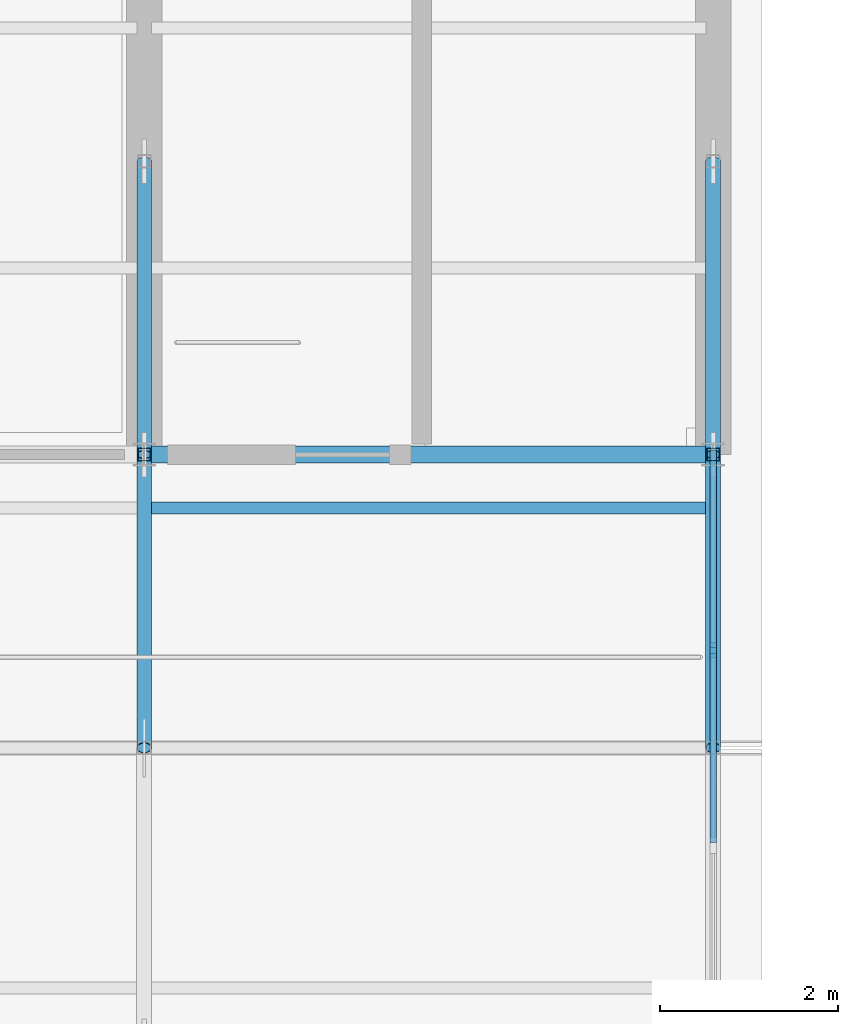
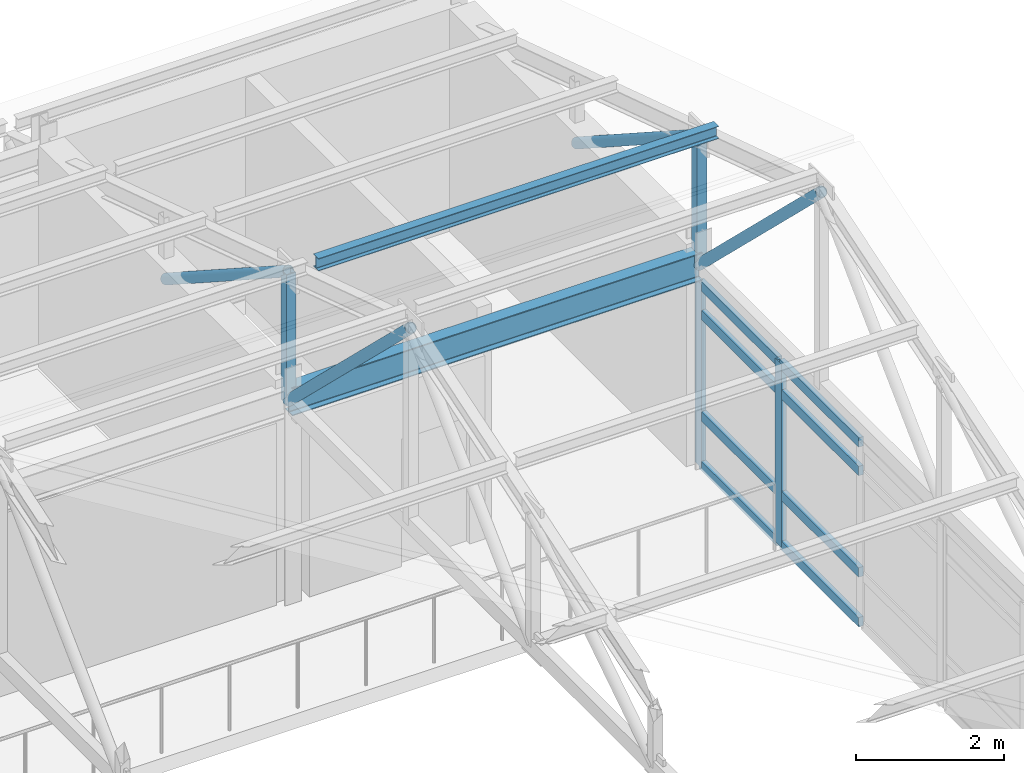
# One storey, part 15 of 57: 17 members, 1 beam, 1 element without a shape of its own.
"""IFC4 building model written with IfcOpenShell, lengths in metres."""

from ifc_helpers import new_model, si_unit, direction, frame, origin, origin_2d, place, context, subcontext, project, spatial, rectangle, hollow_rectangle, hollow_circle, i_section, extrude, material, layer, layer_set, material_profile, profile_set, type_object, element, aggregate, save


model = new_model("IFC4")

# Units and contexts
model_context = context("Model", 3, precision=1e-05, world=origin(), true_north=direction((0.0, 1.0)))
body_context = subcontext(model_context, "Body", "Model", "MODEL_VIEW")
ifc_project = project(units=[si_unit("LENGTHUNIT", "METRE"), si_unit("AREAUNIT", "SQUARE_METRE"), si_unit("VOLUMEUNIT", "CUBIC_METRE"), si_unit("PLANEANGLEUNIT", "RADIAN"), si_unit("MASSUNIT", "GRAM", prefix="KILO")], contexts=[model_context])

# Site, building, storey
site_placement = place(None, origin())
site = spatial("IfcSite", under=ifc_project, at=site_placement, CompositionType="ELEMENT")
building_placement = place(site_placement, origin())
building = spatial("IfcBuilding", under=site, at=building_placement, Name="Trelmorton Wharf Fire Station", CompositionType="ELEMENT")
storey_placement = place(building_placement, frame((0.0, 0.0, 13.5)))
storey = spatial("IfcBuildingStorey", under=building, at=storey_placement, Name="L03", CompositionType="ELEMENT", Elevation=13.5)

# Beam
ifc_material_1 = material(Name="Steel Grade 350", Category="steel")
ifc_material_profile_1 = material_profile(ifc_material_1, i_section(OverallWidth=0.18994140625, OverallDepth=0.45703125, WebThickness=0.009033203125, FlangeThickness=0.014404296875, FilletRadius=0.011474609375, at=origin_2d()), Name="460UB74.6")
ifc_profile_set_1 = profile_set([ifc_material_profile_1], Name="Steel Grade 350")
beam_type = type_object("IfcBeamType", Name="BM_460UB75", PredefinedType="BEAM", material=ifc_profile_set_1)
beam_placement = place(storey_placement, frame((77.2041015625, 21.0, 3.29150390625), z_axis=(1.0, 0.0, 0.0), x_axis=(0.0, 1.0, 0.0)))
element("IfcBeam", 1, at=beam_placement, inside=storey, type_object=beam_type, Name="BM-L03-0896", PredefinedType="BEAM", context=body_context, shape_type="SweptSolid", body=[
    extrude(i_section(OverallWidth=0.18994140625, OverallDepth=0.45703125, WebThickness=0.009033203125, FlangeThickness=0.014404296875, FilletRadius=0.011474609375, at=origin_2d()), origin(), (0.0, 0.0, 1.0), 6.391845703125),
])

# Curtain wall, members
ifc_material_2 = material(Name="Anodised aluminium AW-6063", Category="aluminium")
ifc_layer = layer(ifc_material_2, 0.14990234375)
ifc_layer_set = layer_set([ifc_layer], Name="Anodised aluminium AW-6063")
curtain_wall_type = type_object("IfcCurtainWallType", Name="CW_UNIT_A", PredefinedType="USERDEFINED", material=ifc_layer_set)
curtain_wall_placement = place(storey_placement, origin())
curtain_wall = element("IfcCurtainWall", 2, at=curtain_wall_placement, inside=storey, type_object=curtain_wall_type, Name="CW-V3-L03-028", ObjectType="UNITISED CURTAIN WALL", PredefinedType="USERDEFINED")
ifc_material_profile_2 = material_profile(ifc_material_2, rectangle(XDim=0.074951171875, YDim=0.175048828125, at=origin_2d()), Name="ALU-75x175")
ifc_profile_set_2 = profile_set([ifc_material_profile_2], Name="Anodised aluminium AW-6063")
member_type_1 = type_object("IfcMemberType", Name="CWM_75x175", PredefinedType="MULLION", material=ifc_profile_set_2)
member_1_placement = place(storey_placement, frame((83.60009765625, 20.965087890625, 0.0), z_axis=(0.0, 0.0, 1.0), x_axis=(1.0, 0.0, 0.0)))
member_1 = element("IfcMember", 3, at=member_1_placement, type_object=member_type_1, Name="CW3 mullion 1", PredefinedType="MULLION", context=body_context, shape_type="SweptSolid", body=[
    extrude(rectangle(XDim=0.074951171875, YDim=0.175048828125, at=origin_2d()), origin(), (0.0, 0.0, 1.0), 3.02001953125),
])
member_2_placement = place(storey_placement, frame((83.60009765625, 18.79833984375, 0.0), z_axis=(0.0, 0.0, 1.0), x_axis=(1.0, 0.0, 0.0)))
member_2 = element("IfcMember", 4, at=member_2_placement, type_object=member_type_1, Name="CW3 mullion 2", PredefinedType="MULLION", context=body_context, shape_type="SweptSolid", body=[
    extrude(rectangle(XDim=0.074951171875, YDim=0.175048828125, at=origin_2d()), origin(), (0.0, 0.0, 1.0), 3.02001953125),
])
ifc_material_profile_3 = material_profile(ifc_material_2, rectangle(XDim=0.074951171875, YDim=0.155029296875, at=origin_2d()), Name="ALU-75x155")
ifc_profile_set_3 = profile_set([ifc_material_profile_3], Name="Anodised aluminium AW-6063")
member_type_2 = type_object("IfcMemberType", Name="CWT_75x155", PredefinedType="USERDEFINED", material=ifc_profile_set_3)
member_3_placement = place(storey_placement, frame((83.60009765625, 20.93505859375, 0.030029296875), z_axis=(0.0, -1.0, 0.0), x_axis=(1.0, 0.0, 0.0)))
member_3 = element("IfcMember", 5, at=member_3_placement, type_object=member_type_2, Name="CW3 transom 1.1", ObjectType="TRANSOM", PredefinedType="USERDEFINED", context=body_context, shape_type="SweptSolid", body=[
    extrude(rectangle(XDim=0.074951171875, YDim=0.155029296875, at=origin_2d()), origin(), (0.0, 0.0, 1.0), 2.106689453125),
])
member_4_placement = place(storey_placement, frame((83.60009765625, 20.93505859375, 0.85009765625), z_axis=(0.0, -1.0, 0.0), x_axis=(1.0, 0.0, 0.0)))
member_4 = element("IfcMember", 6, at=member_4_placement, type_object=member_type_2, Name="CW3 transom 1.2", ObjectType="TRANSOM", PredefinedType="USERDEFINED", context=body_context, shape_type="SweptSolid", body=[
    extrude(rectangle(XDim=0.074951171875, YDim=0.155029296875, at=origin_2d()), origin(), (0.0, 0.0, 1.0), 2.106689453125),
])
member_5_placement = place(storey_placement, frame((83.60009765625, 20.93505859375, 2.52001953125), z_axis=(0.0, -1.0, 0.0), x_axis=(1.0, 0.0, 0.0)))
member_5 = element("IfcMember", 7, at=member_5_placement, type_object=member_type_2, Name="CW3 transom 1.3", ObjectType="TRANSOM", PredefinedType="USERDEFINED", context=body_context, shape_type="SweptSolid", body=[
    extrude(rectangle(XDim=0.074951171875, YDim=0.155029296875, at=origin_2d()), origin(), (0.0, 0.0, 1.0), 2.106689453125),
])
member_6_placement = place(storey_placement, frame((83.60009765625, 20.93505859375, 2.989990234375), z_axis=(0.0, -1.0, 0.0), x_axis=(1.0, 0.0, 0.0)))
member_6 = element("IfcMember", 8, at=member_6_placement, type_object=member_type_2, Name="CW3 transom 1.4", ObjectType="TRANSOM", PredefinedType="USERDEFINED", context=body_context, shape_type="SweptSolid", body=[
    extrude(rectangle(XDim=0.074951171875, YDim=0.155029296875, at=origin_2d()), origin(), (0.0, 0.0, 1.0), 2.106689453125),
])
member_7_placement = place(storey_placement, frame((83.60009765625, 18.768310546875, 0.030029296875), z_axis=(0.0, -1.0, 0.0), x_axis=(1.0, 0.0, 0.0)))
member_7 = element("IfcMember", 9, at=member_7_placement, type_object=member_type_2, Name="CW3 transom 2.1", ObjectType="TRANSOM", PredefinedType="USERDEFINED", context=body_context, shape_type="SweptSolid", body=[
    extrude(rectangle(XDim=0.074951171875, YDim=0.155029296875, at=origin_2d()), origin(), (0.0, 0.0, 1.0), 2.13671875),
])
member_8_placement = place(storey_placement, frame((83.60009765625, 18.768310546875, 0.85009765625), z_axis=(0.0, -1.0, 0.0), x_axis=(1.0, 0.0, 0.0)))
member_8 = element("IfcMember", 10, at=member_8_placement, type_object=member_type_2, Name="CW3 transom 2.2", ObjectType="TRANSOM", PredefinedType="USERDEFINED", context=body_context, shape_type="SweptSolid", body=[
    extrude(rectangle(XDim=0.074951171875, YDim=0.155029296875, at=origin_2d()), origin(), (0.0, 0.0, 1.0), 2.13671875),
])
member_9_placement = place(storey_placement, frame((83.60009765625, 18.768310546875, 2.52001953125), z_axis=(0.0, -1.0, 0.0), x_axis=(1.0, 0.0, 0.0)))
member_9 = element("IfcMember", 11, at=member_9_placement, type_object=member_type_2, Name="CW3 transom 2.3", ObjectType="TRANSOM", PredefinedType="USERDEFINED", context=body_context, shape_type="SweptSolid", body=[
    extrude(rectangle(XDim=0.074951171875, YDim=0.155029296875, at=origin_2d()), origin(), (0.0, 0.0, 1.0), 2.13671875),
])
member_10_placement = place(storey_placement, frame((83.60009765625, 18.768310546875, 2.989990234375), z_axis=(0.0, -1.0, 0.0), x_axis=(1.0, 0.0, 0.0)))
member_10 = element("IfcMember", 12, at=member_10_placement, type_object=member_type_2, Name="CW3 transom 2.4", ObjectType="TRANSOM", PredefinedType="USERDEFINED", context=body_context, shape_type="SweptSolid", body=[
    extrude(rectangle(XDim=0.074951171875, YDim=0.155029296875, at=origin_2d()), origin(), (0.0, 0.0, 1.0), 2.13671875),
])
aggregate(curtain_wall, [member_1, member_2, member_3, member_4, member_5, member_6, member_7, member_8, member_9, member_10])

# Members
ifc_material_3 = material(Name="Steel Grade 300 (300 MPa)", Category="steel")
ifc_material_profile_4 = material_profile(ifc_material_3, i_section(OverallWidth=0.134033203125, OverallDepth=0.20703125, WebThickness=0.00634765625, FlangeThickness=0.009521484375, FilletRadius=0.0087890625, at=origin_2d()), Name="200UB29.8")
ifc_profile_set_4 = profile_set([ifc_material_profile_4], Name="Steel Grade 300 (300 MPa)")
member_type_3 = type_object("IfcMemberType", Name="PR_200UB30", PredefinedType="PURLIN", material=ifc_profile_set_4)
member_11_placement = place(storey_placement, frame((77.280029296875, 20.39990234375, 5.873291015625), z_axis=(1.0, 0.0, 0.0), x_axis=(0.0, 1.0, 0.0)))
element("IfcMember", 13, at=member_11_placement, inside=storey, type_object=member_type_3, Name="V3-PR-B04-N1", PredefinedType="PURLIN", context=body_context, shape_type="SweptSolid", body=[
    extrude(i_section(OverallWidth=0.134033203125, OverallDepth=0.20703125, WebThickness=0.00634765625, FlangeThickness=0.009521484375, FilletRadius=0.0087890625, at=origin_2d()), origin(), (0.0, 0.0, 1.0), 6.239990234375),
])
ifc_material_4 = material(Name="Steel C350L0 (350 MPa)", Category="steel")
ifc_material_profile_5 = material_profile(ifc_material_4, hollow_circle(Radius=0.084228515625, WallThickness=0.007080078125, at=origin_2d()), Name="168.3x7.1CHS")
ifc_profile_set_5 = profile_set([ifc_material_profile_5], Name="Steel C350L0 (350 MPa)")
member_type_4 = type_object("IfcMemberType", Name="TR_DIAG_168CHS", PredefinedType="STRUT", material=ifc_profile_set_5)
member_12_placement = place(storey_placement, frame((77.199951171875, 24.300048828125, 3.265869140625), z_axis=(0.0, -0.839805110115, 0.542887996759), x_axis=(1.0, 0.0, 0.0)))
element("IfcMember", 14, at=member_12_placement, inside=storey, type_object=member_type_4, Name="V3-TR04-DG-N1", PredefinedType="STRUT", context=body_context, shape_type="SweptSolid", body=[
    extrude(hollow_circle(Radius=0.084228515625, WallThickness=0.007080078125, at=origin_2d()), origin(), (0.0, 0.0, 1.0), 3.929443359375),
])
member_13_placement = place(storey_placement, frame((77.199951171875, 21.0, 3.265869140625), z_axis=(0.0, -0.717910849815, 0.696135052787), x_axis=(1.0, 0.0, 0.0)))
element("IfcMember", 15, at=member_13_placement, inside=storey, type_object=member_type_4, Name="V3-TR04-DG-N2", PredefinedType="STRUT", context=body_context, shape_type="SweptSolid", body=[
    extrude(hollow_circle(Radius=0.084228515625, WallThickness=0.007080078125, at=origin_2d()), origin(), (0.0, 0.0, 1.0), 4.5966796875),
])
member_14_placement = place(storey_placement, frame((83.60009765625, 24.300048828125, 3.265869140625), z_axis=(0.0, -0.839805110115, 0.542887996759), x_axis=(1.0, 0.0, 0.0)))
element("IfcMember", 16, at=member_14_placement, inside=storey, type_object=member_type_4, Name="V3-TR05-DG-N1", PredefinedType="STRUT", context=body_context, shape_type="SweptSolid", body=[
    extrude(hollow_circle(Radius=0.084228515625, WallThickness=0.007080078125, at=origin_2d()), origin(), (0.0, 0.0, 1.0), 3.929443359375),
])
member_15_placement = place(storey_placement, frame((83.60009765625, 21.0, 3.265869140625), z_axis=(0.0, -0.717910849815, 0.696135052787), x_axis=(1.0, 0.0, 0.0)))
element("IfcMember", 17, at=member_15_placement, inside=storey, type_object=member_type_4, Name="V3-TR05-DG-N2", PredefinedType="STRUT", context=body_context, shape_type="SweptSolid", body=[
    extrude(hollow_circle(Radius=0.084228515625, WallThickness=0.007080078125, at=origin_2d()), origin(), (0.0, 0.0, 1.0), 4.5966796875),
])
ifc_material_profile_6 = material_profile(ifc_material_4, hollow_rectangle(XDim=0.14990234375, YDim=0.14990234375, WallThickness=0.009033203125, at=origin_2d()), Name="150x150x9.0SHS")
ifc_profile_set_6 = profile_set([ifc_material_profile_6], Name="Steel C350L0 (350 MPa)")
member_type_5 = type_object("IfcMemberType", Name="TR_POST_150SHS", PredefinedType="POST", material=ifc_profile_set_6)
for number, where, z_axis, x_axis, name in (
    (18, (77.199951171875, 21.0, 3.265869140625), (0.0, 0.0, 1.0), (1.0, 0.0, 0.0), "V3-TR04-VP-N2"),
    (19, (83.60009765625, 21.0, 3.265869140625), (0.0, 0.0, 1.0), (1.0, 0.0, 0.0), "V3-TR05-VP-N2"),
):
    element("IfcMember", number, at=place(storey_placement, frame(where, z_axis=z_axis, x_axis=x_axis)), inside=storey, type_object=member_type_5, Name=name, PredefinedType="POST", context=body_context, shape_type="SweptSolid", body=[
        extrude(hollow_rectangle(XDim=0.14990234375, YDim=0.14990234375, WallThickness=0.009033203125, at=origin_2d()), origin(), (0.0, 0.0, 1.0), 2.13330078125),
    ])

save(model, "model.ifc")
